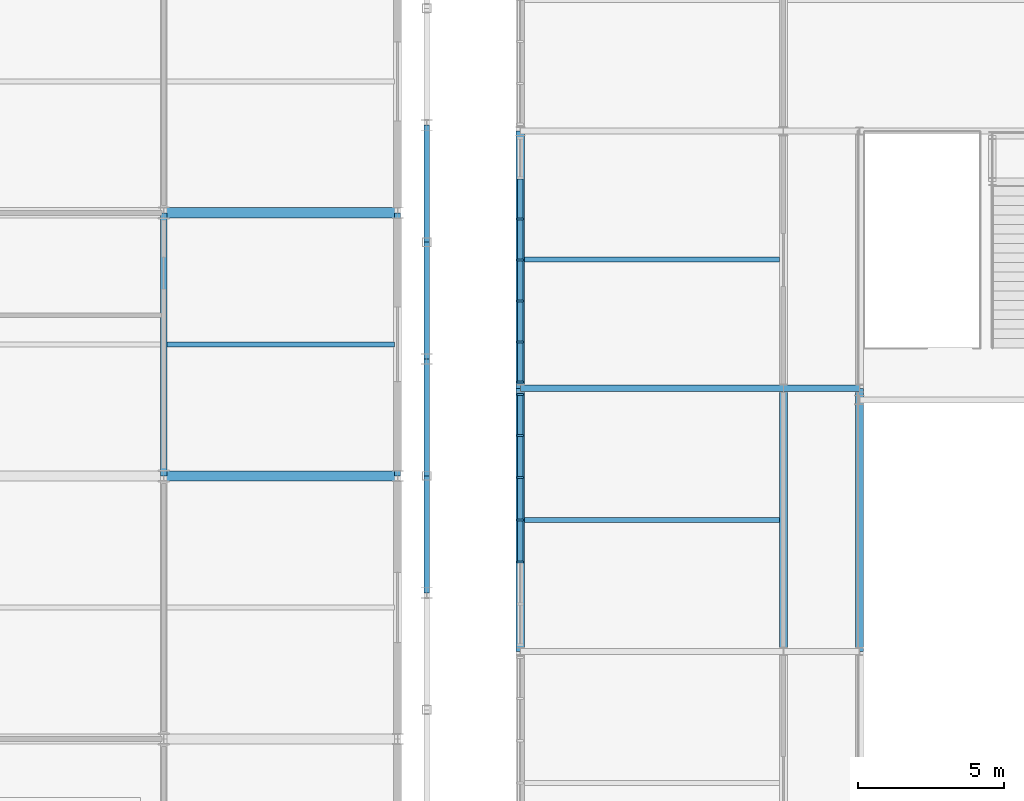
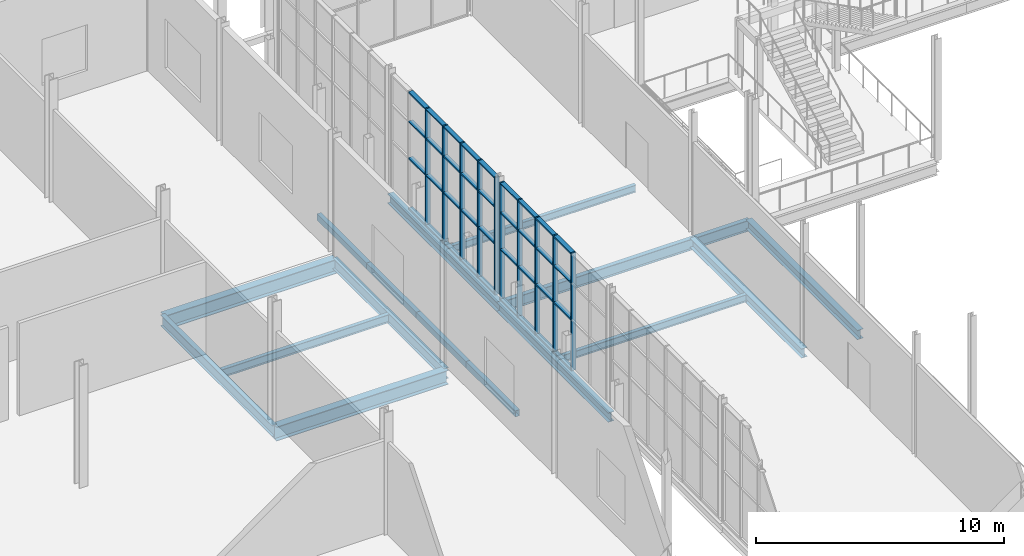
# One storey, part 57 of 159: 46 members, 17 beams, 2 elements without a shape of their own.
"""IFC4 building model written with IfcOpenShell, lengths in metres."""

from ifc_helpers import new_model, si_unit, direction, frame, origin, origin_2d, place, context, subcontext, project, spatial, rectangle, hollow_rectangle, i_section, extrude, material, layer, layer_set, material_profile, profile_set, type_object, element, aggregate, save


model = new_model("IFC4")

# Units and contexts
model_context = context("Model", 3, precision=1e-05, world=origin(), true_north=direction((0.0, 1.0)))
body_context = subcontext(model_context, "Body", "Model", "MODEL_VIEW")
ifc_project = project(units=[si_unit("LENGTHUNIT", "METRE"), si_unit("AREAUNIT", "SQUARE_METRE"), si_unit("VOLUMEUNIT", "CUBIC_METRE"), si_unit("PLANEANGLEUNIT", "RADIAN"), si_unit("MASSUNIT", "GRAM", prefix="KILO")], contexts=[model_context])

# Site, building, storey
site_placement = place(None, origin())
site = spatial("IfcSite", under=ifc_project, at=site_placement, CompositionType="ELEMENT")
building_placement = place(site_placement, origin())
building = spatial("IfcBuilding", under=site, at=building_placement, Name="Cazmaro Siding Exhibition Halls", CompositionType="ELEMENT")
storey_placement = place(building_placement, frame((0.0, 0.0, 6.0)))
storey = spatial("IfcBuildingStorey", under=building, at=storey_placement, Name="L01", CompositionType="ELEMENT", Elevation=6.0)

# Beams
ifc_material_1 = material(Name="Steel ASTM A992 Grade 50", Category="steel")
ifc_material_profile_1 = material_profile(ifc_material_1, i_section(OverallWidth=0.214111328125, OverallDepth=0.549072265625, WebThickness=0.014892578125, FlangeThickness=0.02392578125, at=origin_2d()), Name="W21X93")
ifc_profile_set_1 = profile_set([ifc_material_profile_1], Name="Steel ASTM A992 Grade 50")
beam_type_1 = type_object("IfcBeamType", Name="B-01", PredefinedType="BEAM", material=ifc_profile_set_1)
beam_1_placement = place(storey_placement, frame((36.0, 100.0, -0.493896484375), z_axis=(0.0, 1.0, 0.0), x_axis=(-1.0, 0.0, 0.0)))
element("IfcBeam", 1, at=beam_1_placement, inside=storey, type_object=beam_type_1, Name="Beam B-01 BM-2031", PredefinedType="BEAM", context=body_context, shape_type="SweptSolid", body=[
    extrude(i_section(OverallWidth=0.214111328125, OverallDepth=0.549072265625, WebThickness=0.014892578125, FlangeThickness=0.02392578125, at=origin_2d()), origin(), (0.0, 0.0, 1.0), 9.0),
])
ifc_material_2 = material(Name="Steel ASTM A992 Grade 50", Category="steel")
ifc_material_profile_2 = material_profile(ifc_material_2, i_section(OverallWidth=0.2099609375, OverallDepth=0.535888671875, WebThickness=0.010986328125, FlangeThickness=0.01708984375, at=origin_2d()), Name="W21X68")
ifc_profile_set_2 = profile_set([ifc_material_profile_2], Name="Steel ASTM A992 Grade 50")
beam_type_2 = type_object("IfcBeamType", Name="B-02", PredefinedType="BEAM", material=ifc_profile_set_2)
beam_2_placement = place(storey_placement, frame((48.199951171875, 103.0, -0.488037109375), z_axis=(1.0, 0.0, 0.0), x_axis=(0.0, 1.0, 0.0)))
element("IfcBeam", 2, at=beam_2_placement, inside=storey, type_object=beam_type_2, Name="Beam B-02 BM-0351", PredefinedType="BEAM", context=body_context, shape_type="SweptSolid", body=[
    extrude(i_section(OverallWidth=0.2099609375, OverallDepth=0.535888671875, WebThickness=0.010986328125, FlangeThickness=0.01708984375, at=origin_2d()), origin(), (0.0, 0.0, 1.0), 9.0),
])
beam_3_placement = place(storey_placement, frame((57.199951171875, 103.0, -0.488037109375), z_axis=(1.0, 0.0, 0.0), x_axis=(0.0, 1.0, 0.0)))
element("IfcBeam", 3, at=beam_3_placement, inside=storey, type_object=beam_type_2, Name="Beam B-02 BM-0367", PredefinedType="BEAM", context=body_context, shape_type="SweptSolid", body=[
    extrude(i_section(OverallWidth=0.2099609375, OverallDepth=0.535888671875, WebThickness=0.010986328125, FlangeThickness=0.01708984375, at=origin_2d()), origin(), (0.0, 0.0, 1.0), 2.60009765625),
])
beam_4_placement = place(storey_placement, frame((44.0, 100.0, -0.488037109375), z_axis=(0.0, 1.0, 0.0), x_axis=(-1.0, 0.0, 0.0)))
element("IfcBeam", 4, at=beam_4_placement, inside=storey, type_object=beam_type_2, Name="Beam B-02 BM-2044", PredefinedType="BEAM", context=body_context, shape_type="SweptSolid", body=[
    extrude(i_section(OverallWidth=0.2099609375, OverallDepth=0.535888671875, WebThickness=0.010986328125, FlangeThickness=0.01708984375, at=origin_2d()), origin(), (0.0, 0.0, 1.0), 9.0),
])
ifc_material_3 = material(Name="Steel ASTM A992 Grade 50", Category="steel")
ifc_material_profile_3 = material_profile(ifc_material_3, i_section(OverallWidth=0.279052734375, OverallDepth=0.4619140625, WebThickness=0.010986328125, FlangeThickness=0.01708984375, at=origin_2d()), Name="W18X76")
ifc_profile_set_3 = profile_set([ifc_material_profile_3], Name="Steel ASTM A992 Grade 50")
beam_type_3 = type_object("IfcBeamType", Name="B-03", PredefinedType="BEAM", material=ifc_profile_set_3)
for number, where, z_axis, x_axis, name in (
    (5, (48.199951171875, 94.0, -0.450927734375), (0.0, 1.0, 0.0), (-1.0, 0.0, 0.0), "Beam B-03 BM-0358"),
    (6, (57.199951171875, 94.0, -0.450927734375), (0.0, 1.0, 0.0), (-1.0, 0.0, 0.0), "Beam B-03 BM-0359"),
):
    element("IfcBeam", number, at=place(storey_placement, frame(where, z_axis=z_axis, x_axis=x_axis)), inside=storey, type_object=beam_type_3, Name=name, PredefinedType="BEAM", context=body_context, shape_type="SweptSolid", body=[
        extrude(i_section(OverallWidth=0.279052734375, OverallDepth=0.4619140625, WebThickness=0.010986328125, FlangeThickness=0.01708984375, at=origin_2d()), origin(), (0.0, 0.0, 1.0), 9.0),
    ])
beam_5_placement = place(storey_placement, frame((48.199951171875, 103.0, -0.450927734375), z_axis=(0.0, 1.0, 0.0), x_axis=(-1.0, 0.0, 0.0)))
element("IfcBeam", 7, at=beam_5_placement, inside=storey, type_object=beam_type_3, Name="Beam B-03 BM-0361", PredefinedType="BEAM", context=body_context, shape_type="SweptSolid", body=[
    extrude(i_section(OverallWidth=0.279052734375, OverallDepth=0.4619140625, WebThickness=0.010986328125, FlangeThickness=0.01708984375, at=origin_2d()), origin(), (0.0, 0.0, 1.0), 8.800048828125),
])
beam_6_placement = place(storey_placement, frame((59.800048828125, 94.0, -0.450927734375), z_axis=(0.0, 1.0, 0.0), x_axis=(-1.0, 0.0, 0.0)))
element("IfcBeam", 8, at=beam_6_placement, inside=storey, type_object=beam_type_3, Name="Beam B-03 BM-0370", PredefinedType="BEAM", context=body_context, shape_type="SweptSolid", body=[
    extrude(i_section(OverallWidth=0.279052734375, OverallDepth=0.4619140625, WebThickness=0.010986328125, FlangeThickness=0.01708984375, at=origin_2d()), origin(), (0.0, 0.0, 1.0), 9.0),
])

# Curtain wall, members
ifc_material_4 = material(Name="Anodized Bronze Aluminum and Solar-Control Low-E Glazing", Category="aluminium")
ifc_layer = layer(ifc_material_4, 0.219970703125)
ifc_layer_set = layer_set([ifc_layer], Name="Anodized Bronze Aluminum and Solar-Control Low-E Glazing")
curtain_wall_type = type_object("IfcCurtainWallType", Name="CWS-03", PredefinedType="USERDEFINED", material=ifc_layer_set)
curtain_wall_1_placement = place(storey_placement, origin())
curtain_wall_1 = element("IfcCurtainWall", 9, at=curtain_wall_1_placement, inside=storey, type_object=curtain_wall_type, Name="Glazed Curtain Wall CWS-03 CW-057", ObjectType="GLAZED CURTAIN WALL", PredefinedType="USERDEFINED")
ifc_material_5 = material(Name="Anodized Bronze Extruded Aluminum", Category="aluminium")
ifc_material_profile_4 = material_profile(ifc_material_5, rectangle(XDim=0.219970703125, YDim=0.070068359375, at=origin_2d()), Name="CWM-03")
ifc_profile_set_4 = profile_set([ifc_material_profile_4], Name="Anodized Bronze Extruded Aluminum")
member_type_1 = type_object("IfcMemberType", Name="CWM-03", PredefinedType="MULLION", material=ifc_profile_set_4)
member_1_placement = place(storey_placement, frame((48.199951171875, 102.7880859375, 0.0), z_axis=(0.0, 0.0, 1.0), x_axis=(1.0, 0.0, 0.0)))
member_1 = element("IfcMember", 10, at=member_1_placement, type_object=member_type_1, Name="CWS-03 mullion 1", PredefinedType="MULLION", context=body_context, shape_type="SweptSolid", body=[
    extrude(rectangle(XDim=0.219970703125, YDim=0.070068359375, at=origin_2d()), origin(), (0.0, 0.0, 1.0), 5.780029296875),
])
member_2_placement = place(storey_placement, frame((48.199951171875, 101.382080078125, 0.0), z_axis=(0.0, 0.0, 1.0), x_axis=(1.0, 0.0, 0.0)))
member_2 = element("IfcMember", 11, at=member_2_placement, type_object=member_type_1, Name="CWS-03 mullion 2", PredefinedType="MULLION", context=body_context, shape_type="SweptSolid", body=[
    extrude(rectangle(XDim=0.219970703125, YDim=0.070068359375, at=origin_2d()), origin(), (0.0, 0.0, 1.0), 5.780029296875),
])
member_3_placement = place(storey_placement, frame((48.199951171875, 99.94091796875, 0.0), z_axis=(0.0, 0.0, 1.0), x_axis=(1.0, 0.0, 0.0)))
member_3 = element("IfcMember", 12, at=member_3_placement, type_object=member_type_1, Name="CWS-03 mullion 3", PredefinedType="MULLION", context=body_context, shape_type="SweptSolid", body=[
    extrude(rectangle(XDim=0.219970703125, YDim=0.070068359375, at=origin_2d()), origin(), (0.0, 0.0, 1.0), 5.780029296875),
])
member_4_placement = place(storey_placement, frame((48.199951171875, 98.5, 0.0), z_axis=(0.0, 0.0, 1.0), x_axis=(1.0, 0.0, 0.0)))
member_4 = element("IfcMember", 13, at=member_4_placement, type_object=member_type_1, Name="CWS-03 mullion 4", PredefinedType="MULLION", context=body_context, shape_type="SweptSolid", body=[
    extrude(rectangle(XDim=0.219970703125, YDim=0.070068359375, at=origin_2d()), origin(), (0.0, 0.0, 1.0), 5.780029296875),
])
member_5_placement = place(storey_placement, frame((48.199951171875, 97.05908203125, 0.0), z_axis=(0.0, 0.0, 1.0), x_axis=(1.0, 0.0, 0.0)))
member_5 = element("IfcMember", 14, at=member_5_placement, type_object=member_type_1, Name="CWS-03 mullion 5", PredefinedType="MULLION", context=body_context, shape_type="SweptSolid", body=[
    extrude(rectangle(XDim=0.219970703125, YDim=0.070068359375, at=origin_2d()), origin(), (0.0, 0.0, 1.0), 5.780029296875),
])

curtain_wall_2_placement = place(storey_placement, origin())
curtain_wall_2 = element("IfcCurtainWall", 15, at=curtain_wall_2_placement, inside=storey, type_object=curtain_wall_type, Name="Glazed Curtain Wall CWS-03 CW-060", ObjectType="GLAZED CURTAIN WALL", PredefinedType="USERDEFINED")
member_6_placement = place(storey_placement, frame((48.199951171875, 108.793701171875, 0.0), z_axis=(0.0, 0.0, 1.0), x_axis=(1.0, 0.0, 0.0)))
member_6 = element("IfcMember", 16, at=member_6_placement, type_object=member_type_1, Name="CWS-03 mullion 3", PredefinedType="MULLION", context=body_context, shape_type="SweptSolid", body=[
    extrude(rectangle(XDim=0.219970703125, YDim=0.070068359375, at=origin_2d()), origin(), (0.0, 0.0, 1.0), 5.780029296875),
])
member_7_placement = place(storey_placement, frame((48.199951171875, 107.389404296875, 0.0), z_axis=(0.0, 0.0, 1.0), x_axis=(1.0, 0.0, 0.0)))
member_7 = element("IfcMember", 17, at=member_7_placement, type_object=member_type_1, Name="CWS-03 mullion 4", PredefinedType="MULLION", context=body_context, shape_type="SweptSolid", body=[
    extrude(rectangle(XDim=0.219970703125, YDim=0.070068359375, at=origin_2d()), origin(), (0.0, 0.0, 1.0), 5.780029296875),
])
member_8_placement = place(storey_placement, frame((48.199951171875, 105.9853515625, 0.0), z_axis=(0.0, 0.0, 1.0), x_axis=(1.0, 0.0, 0.0)))
member_8 = element("IfcMember", 18, at=member_8_placement, type_object=member_type_1, Name="CWS-03 mullion 5", PredefinedType="MULLION", context=body_context, shape_type="SweptSolid", body=[
    extrude(rectangle(XDim=0.219970703125, YDim=0.070068359375, at=origin_2d()), origin(), (0.0, 0.0, 1.0), 5.780029296875),
])
member_9_placement = place(storey_placement, frame((48.199951171875, 104.5810546875, 0.0), z_axis=(0.0, 0.0, 1.0), x_axis=(1.0, 0.0, 0.0)))
member_9 = element("IfcMember", 19, at=member_9_placement, type_object=member_type_1, Name="CWS-03 mullion 6", PredefinedType="MULLION", context=body_context, shape_type="SweptSolid", body=[
    extrude(rectangle(XDim=0.219970703125, YDim=0.070068359375, at=origin_2d()), origin(), (0.0, 0.0, 1.0), 5.780029296875),
])
member_10_placement = place(storey_placement, frame((48.199951171875, 103.2119140625, 0.0), z_axis=(0.0, 0.0, 1.0), x_axis=(1.0, 0.0, 0.0)))
member_10 = element("IfcMember", 20, at=member_10_placement, type_object=member_type_1, Name="CWS-03 mullion 7", PredefinedType="MULLION", context=body_context, shape_type="SweptSolid", body=[
    extrude(rectangle(XDim=0.219970703125, YDim=0.070068359375, at=origin_2d()), origin(), (0.0, 0.0, 1.0), 5.780029296875),
])

# Member
ifc_material_6 = material(Name="Anodized Bronze Extruded Aluminum", Category="aluminium")
ifc_material_profile_5 = material_profile(ifc_material_6, rectangle(XDim=0.199951171875, YDim=0.070068359375, at=origin_2d()), Name="CWT-03")
ifc_profile_set_5 = profile_set([ifc_material_profile_5], Name="Anodized Bronze Extruded Aluminum")
member_type_2 = type_object("IfcMemberType", Name="CWT-03", PredefinedType="MULLION", material=ifc_profile_set_5)
member_11_placement = place(storey_placement, frame((48.199951171875, 102.7529296875, 0.034912109375), z_axis=(0.0, -1.0, 0.0), x_axis=(1.0, 0.0, 0.0)))
member_11 = element("IfcMember", 21, at=member_11_placement, type_object=member_type_2, Name="CWS-03 transom 1.1", ObjectType="TRANSOM", PredefinedType="USERDEFINED", context=body_context, shape_type="SweptSolid", body=[
    extrude(rectangle(XDim=0.199951171875, YDim=0.070068359375, at=origin_2d()), origin(), (0.0, 0.0, 1.0), 1.3359375),
])

member_12_placement = place(storey_placement, frame((48.199951171875, 102.7529296875, 2.5), z_axis=(0.0, -1.0, 0.0), x_axis=(1.0, 0.0, 0.0)))
member_12 = element("IfcMember", 22, at=member_12_placement, type_object=member_type_2, Name="CWS-03 transom 1.2", ObjectType="TRANSOM", PredefinedType="USERDEFINED", context=body_context, shape_type="SweptSolid", body=[
    extrude(rectangle(XDim=0.199951171875, YDim=0.070068359375, at=origin_2d()), origin(), (0.0, 0.0, 1.0), 1.3359375),
])

member_13_placement = place(storey_placement, frame((48.199951171875, 102.7529296875, 4.300048828125), z_axis=(0.0, -1.0, 0.0), x_axis=(1.0, 0.0, 0.0)))
member_13 = element("IfcMember", 23, at=member_13_placement, type_object=member_type_2, Name="CWS-03 transom 1.3", ObjectType="TRANSOM", PredefinedType="USERDEFINED", context=body_context, shape_type="SweptSolid", body=[
    extrude(rectangle(XDim=0.199951171875, YDim=0.070068359375, at=origin_2d()), origin(), (0.0, 0.0, 1.0), 1.3359375),
])

member_14_placement = place(storey_placement, frame((48.199951171875, 102.7529296875, 5.7451171875), z_axis=(0.0, -1.0, 0.0), x_axis=(1.0, 0.0, 0.0)))
member_14 = element("IfcMember", 24, at=member_14_placement, type_object=member_type_2, Name="CWS-03 transom 1.4", ObjectType="TRANSOM", PredefinedType="USERDEFINED", context=body_context, shape_type="SweptSolid", body=[
    extrude(rectangle(XDim=0.199951171875, YDim=0.070068359375, at=origin_2d()), origin(), (0.0, 0.0, 1.0), 1.3359375),
])

member_15_placement = place(storey_placement, frame((48.199951171875, 101.346923828125, 0.034912109375), z_axis=(0.0, -1.0, 0.0), x_axis=(1.0, 0.0, 0.0)))
member_15 = element("IfcMember", 25, at=member_15_placement, type_object=member_type_2, Name="CWS-03 transom 2.1", ObjectType="TRANSOM", PredefinedType="USERDEFINED", context=body_context, shape_type="SweptSolid", body=[
    extrude(rectangle(XDim=0.199951171875, YDim=0.070068359375, at=origin_2d()), origin(), (0.0, 0.0, 1.0), 1.370849609375),
])

member_16_placement = place(storey_placement, frame((48.199951171875, 101.346923828125, 2.5), z_axis=(0.0, -1.0, 0.0), x_axis=(1.0, 0.0, 0.0)))
member_16 = element("IfcMember", 26, at=member_16_placement, type_object=member_type_2, Name="CWS-03 transom 2.2", ObjectType="TRANSOM", PredefinedType="USERDEFINED", context=body_context, shape_type="SweptSolid", body=[
    extrude(rectangle(XDim=0.199951171875, YDim=0.070068359375, at=origin_2d()), origin(), (0.0, 0.0, 1.0), 1.370849609375),
])

member_17_placement = place(storey_placement, frame((48.199951171875, 101.346923828125, 4.300048828125), z_axis=(0.0, -1.0, 0.0), x_axis=(1.0, 0.0, 0.0)))
member_17 = element("IfcMember", 27, at=member_17_placement, type_object=member_type_2, Name="CWS-03 transom 2.3", ObjectType="TRANSOM", PredefinedType="USERDEFINED", context=body_context, shape_type="SweptSolid", body=[
    extrude(rectangle(XDim=0.199951171875, YDim=0.070068359375, at=origin_2d()), origin(), (0.0, 0.0, 1.0), 1.370849609375),
])

member_18_placement = place(storey_placement, frame((48.199951171875, 101.346923828125, 5.7451171875), z_axis=(0.0, -1.0, 0.0), x_axis=(1.0, 0.0, 0.0)))
member_18 = element("IfcMember", 28, at=member_18_placement, type_object=member_type_2, Name="CWS-03 transom 2.4", ObjectType="TRANSOM", PredefinedType="USERDEFINED", context=body_context, shape_type="SweptSolid", body=[
    extrude(rectangle(XDim=0.199951171875, YDim=0.070068359375, at=origin_2d()), origin(), (0.0, 0.0, 1.0), 1.370849609375),
])

member_19_placement = place(storey_placement, frame((48.199951171875, 99.906005859375, 0.034912109375), z_axis=(0.0, -1.0, 0.0), x_axis=(1.0, 0.0, 0.0)))
member_19 = element("IfcMember", 29, at=member_19_placement, type_object=member_type_2, Name="CWS-03 transom 3.1", ObjectType="TRANSOM", PredefinedType="USERDEFINED", context=body_context, shape_type="SweptSolid", body=[
    extrude(rectangle(XDim=0.199951171875, YDim=0.070068359375, at=origin_2d()), origin(), (0.0, 0.0, 1.0), 1.37109375),
])

member_20_placement = place(storey_placement, frame((48.199951171875, 99.906005859375, 2.5), z_axis=(0.0, -1.0, 0.0), x_axis=(1.0, 0.0, 0.0)))
member_20 = element("IfcMember", 30, at=member_20_placement, type_object=member_type_2, Name="CWS-03 transom 3.2", ObjectType="TRANSOM", PredefinedType="USERDEFINED", context=body_context, shape_type="SweptSolid", body=[
    extrude(rectangle(XDim=0.199951171875, YDim=0.070068359375, at=origin_2d()), origin(), (0.0, 0.0, 1.0), 1.37109375),
])

member_21_placement = place(storey_placement, frame((48.199951171875, 99.906005859375, 4.300048828125), z_axis=(0.0, -1.0, 0.0), x_axis=(1.0, 0.0, 0.0)))
member_21 = element("IfcMember", 31, at=member_21_placement, type_object=member_type_2, Name="CWS-03 transom 3.3", ObjectType="TRANSOM", PredefinedType="USERDEFINED", context=body_context, shape_type="SweptSolid", body=[
    extrude(rectangle(XDim=0.199951171875, YDim=0.070068359375, at=origin_2d()), origin(), (0.0, 0.0, 1.0), 1.37109375),
])

member_22_placement = place(storey_placement, frame((48.199951171875, 99.906005859375, 5.7451171875), z_axis=(0.0, -1.0, 0.0), x_axis=(1.0, 0.0, 0.0)))
member_22 = element("IfcMember", 32, at=member_22_placement, type_object=member_type_2, Name="CWS-03 transom 3.4", ObjectType="TRANSOM", PredefinedType="USERDEFINED", context=body_context, shape_type="SweptSolid", body=[
    extrude(rectangle(XDim=0.199951171875, YDim=0.070068359375, at=origin_2d()), origin(), (0.0, 0.0, 1.0), 1.37109375),
])

member_23_placement = place(storey_placement, frame((48.199951171875, 98.465087890625, 0.034912109375), z_axis=(0.0, -1.0, 0.0), x_axis=(1.0, 0.0, 0.0)))
member_23 = element("IfcMember", 33, at=member_23_placement, type_object=member_type_2, Name="CWS-03 transom 4.1", ObjectType="TRANSOM", PredefinedType="USERDEFINED", context=body_context, shape_type="SweptSolid", body=[
    extrude(rectangle(XDim=0.199951171875, YDim=0.070068359375, at=origin_2d()), origin(), (0.0, 0.0, 1.0), 1.37109375),
])

member_24_placement = place(storey_placement, frame((48.199951171875, 98.465087890625, 2.5), z_axis=(0.0, -1.0, 0.0), x_axis=(1.0, 0.0, 0.0)))
member_24 = element("IfcMember", 34, at=member_24_placement, type_object=member_type_2, Name="CWS-03 transom 4.2", ObjectType="TRANSOM", PredefinedType="USERDEFINED", context=body_context, shape_type="SweptSolid", body=[
    extrude(rectangle(XDim=0.199951171875, YDim=0.070068359375, at=origin_2d()), origin(), (0.0, 0.0, 1.0), 1.37109375),
])

member_25_placement = place(storey_placement, frame((48.199951171875, 98.465087890625, 4.300048828125), z_axis=(0.0, -1.0, 0.0), x_axis=(1.0, 0.0, 0.0)))
member_25 = element("IfcMember", 35, at=member_25_placement, type_object=member_type_2, Name="CWS-03 transom 4.3", ObjectType="TRANSOM", PredefinedType="USERDEFINED", context=body_context, shape_type="SweptSolid", body=[
    extrude(rectangle(XDim=0.199951171875, YDim=0.070068359375, at=origin_2d()), origin(), (0.0, 0.0, 1.0), 1.37109375),
])

member_26_placement = place(storey_placement, frame((48.199951171875, 98.465087890625, 5.7451171875), z_axis=(0.0, -1.0, 0.0), x_axis=(1.0, 0.0, 0.0)))
member_26 = element("IfcMember", 36, at=member_26_placement, type_object=member_type_2, Name="CWS-03 transom 4.4", ObjectType="TRANSOM", PredefinedType="USERDEFINED", context=body_context, shape_type="SweptSolid", body=[
    extrude(rectangle(XDim=0.199951171875, YDim=0.070068359375, at=origin_2d()), origin(), (0.0, 0.0, 1.0), 1.37109375),
])

aggregate(curtain_wall_1, [member_1, member_2, member_3, member_4, member_5, member_11, member_12, member_13, member_14, member_15, member_16, member_17, member_18, member_19, member_20, member_21, member_22, member_23, member_24, member_25, member_26])

member_27_placement = place(storey_placement, frame((48.199951171875, 110.162841796875, 0.034912109375), z_axis=(0.0, -1.0, 0.0), x_axis=(1.0, 0.0, 0.0)))
member_27 = element("IfcMember", 37, at=member_27_placement, type_object=member_type_2, Name="CWS-03 transom 2.1", ObjectType="TRANSOM", PredefinedType="USERDEFINED", context=body_context, shape_type="SweptSolid", body=[
    extrude(rectangle(XDim=0.199951171875, YDim=0.070068359375, at=origin_2d()), origin(), (0.0, 0.0, 1.0), 1.334228515625),
])

member_28_placement = place(storey_placement, frame((48.199951171875, 110.162841796875, 2.5), z_axis=(0.0, -1.0, 0.0), x_axis=(1.0, 0.0, 0.0)))
member_28 = element("IfcMember", 38, at=member_28_placement, type_object=member_type_2, Name="CWS-03 transom 2.2", ObjectType="TRANSOM", PredefinedType="USERDEFINED", context=body_context, shape_type="SweptSolid", body=[
    extrude(rectangle(XDim=0.199951171875, YDim=0.070068359375, at=origin_2d()), origin(), (0.0, 0.0, 1.0), 1.334228515625),
])

member_29_placement = place(storey_placement, frame((48.199951171875, 110.162841796875, 4.300048828125), z_axis=(0.0, -1.0, 0.0), x_axis=(1.0, 0.0, 0.0)))
member_29 = element("IfcMember", 39, at=member_29_placement, type_object=member_type_2, Name="CWS-03 transom 2.3", ObjectType="TRANSOM", PredefinedType="USERDEFINED", context=body_context, shape_type="SweptSolid", body=[
    extrude(rectangle(XDim=0.199951171875, YDim=0.070068359375, at=origin_2d()), origin(), (0.0, 0.0, 1.0), 1.334228515625),
])

member_30_placement = place(storey_placement, frame((48.199951171875, 110.162841796875, 5.7451171875), z_axis=(0.0, -1.0, 0.0), x_axis=(1.0, 0.0, 0.0)))
member_30 = element("IfcMember", 40, at=member_30_placement, type_object=member_type_2, Name="CWS-03 transom 2.4", ObjectType="TRANSOM", PredefinedType="USERDEFINED", context=body_context, shape_type="SweptSolid", body=[
    extrude(rectangle(XDim=0.199951171875, YDim=0.070068359375, at=origin_2d()), origin(), (0.0, 0.0, 1.0), 1.334228515625),
])

member_31_placement = place(storey_placement, frame((48.199951171875, 108.758544921875, 0.034912109375), z_axis=(0.0, -1.0, 0.0), x_axis=(1.0, 0.0, 0.0)))
member_31 = element("IfcMember", 41, at=member_31_placement, type_object=member_type_2, Name="CWS-03 transom 3.1", ObjectType="TRANSOM", PredefinedType="USERDEFINED", context=body_context, shape_type="SweptSolid", body=[
    extrude(rectangle(XDim=0.199951171875, YDim=0.070068359375, at=origin_2d()), origin(), (0.0, 0.0, 1.0), 1.333984375),
])

member_32_placement = place(storey_placement, frame((48.199951171875, 108.758544921875, 2.5), z_axis=(0.0, -1.0, 0.0), x_axis=(1.0, 0.0, 0.0)))
member_32 = element("IfcMember", 42, at=member_32_placement, type_object=member_type_2, Name="CWS-03 transom 3.2", ObjectType="TRANSOM", PredefinedType="USERDEFINED", context=body_context, shape_type="SweptSolid", body=[
    extrude(rectangle(XDim=0.199951171875, YDim=0.070068359375, at=origin_2d()), origin(), (0.0, 0.0, 1.0), 1.333984375),
])

member_33_placement = place(storey_placement, frame((48.199951171875, 108.758544921875, 4.300048828125), z_axis=(0.0, -1.0, 0.0), x_axis=(1.0, 0.0, 0.0)))
member_33 = element("IfcMember", 43, at=member_33_placement, type_object=member_type_2, Name="CWS-03 transom 3.3", ObjectType="TRANSOM", PredefinedType="USERDEFINED", context=body_context, shape_type="SweptSolid", body=[
    extrude(rectangle(XDim=0.199951171875, YDim=0.070068359375, at=origin_2d()), origin(), (0.0, 0.0, 1.0), 1.333984375),
])

member_34_placement = place(storey_placement, frame((48.199951171875, 108.758544921875, 5.7451171875), z_axis=(0.0, -1.0, 0.0), x_axis=(1.0, 0.0, 0.0)))
member_34 = element("IfcMember", 44, at=member_34_placement, type_object=member_type_2, Name="CWS-03 transom 3.4", ObjectType="TRANSOM", PredefinedType="USERDEFINED", context=body_context, shape_type="SweptSolid", body=[
    extrude(rectangle(XDim=0.199951171875, YDim=0.070068359375, at=origin_2d()), origin(), (0.0, 0.0, 1.0), 1.333984375),
])

member_35_placement = place(storey_placement, frame((48.199951171875, 107.3544921875, 0.034912109375), z_axis=(0.0, -1.0, 0.0), x_axis=(1.0, 0.0, 0.0)))
member_35 = element("IfcMember", 45, at=member_35_placement, type_object=member_type_2, Name="CWS-03 transom 4.1", ObjectType="TRANSOM", PredefinedType="USERDEFINED", context=body_context, shape_type="SweptSolid", body=[
    extrude(rectangle(XDim=0.199951171875, YDim=0.070068359375, at=origin_2d()), origin(), (0.0, 0.0, 1.0), 1.334228515625),
])

member_36_placement = place(storey_placement, frame((48.199951171875, 107.3544921875, 2.5), z_axis=(0.0, -1.0, 0.0), x_axis=(1.0, 0.0, 0.0)))
member_36 = element("IfcMember", 46, at=member_36_placement, type_object=member_type_2, Name="CWS-03 transom 4.2", ObjectType="TRANSOM", PredefinedType="USERDEFINED", context=body_context, shape_type="SweptSolid", body=[
    extrude(rectangle(XDim=0.199951171875, YDim=0.070068359375, at=origin_2d()), origin(), (0.0, 0.0, 1.0), 1.334228515625),
])

member_37_placement = place(storey_placement, frame((48.199951171875, 107.3544921875, 4.300048828125), z_axis=(0.0, -1.0, 0.0), x_axis=(1.0, 0.0, 0.0)))
member_37 = element("IfcMember", 47, at=member_37_placement, type_object=member_type_2, Name="CWS-03 transom 4.3", ObjectType="TRANSOM", PredefinedType="USERDEFINED", context=body_context, shape_type="SweptSolid", body=[
    extrude(rectangle(XDim=0.199951171875, YDim=0.070068359375, at=origin_2d()), origin(), (0.0, 0.0, 1.0), 1.334228515625),
])

member_38_placement = place(storey_placement, frame((48.199951171875, 107.3544921875, 5.7451171875), z_axis=(0.0, -1.0, 0.0), x_axis=(1.0, 0.0, 0.0)))
member_38 = element("IfcMember", 48, at=member_38_placement, type_object=member_type_2, Name="CWS-03 transom 4.4", ObjectType="TRANSOM", PredefinedType="USERDEFINED", context=body_context, shape_type="SweptSolid", body=[
    extrude(rectangle(XDim=0.199951171875, YDim=0.070068359375, at=origin_2d()), origin(), (0.0, 0.0, 1.0), 1.334228515625),
])

member_39_placement = place(storey_placement, frame((48.199951171875, 105.950439453125, 0.034912109375), z_axis=(0.0, -1.0, 0.0), x_axis=(1.0, 0.0, 0.0)))
member_39 = element("IfcMember", 49, at=member_39_placement, type_object=member_type_2, Name="CWS-03 transom 5.1", ObjectType="TRANSOM", PredefinedType="USERDEFINED", context=body_context, shape_type="SweptSolid", body=[
    extrude(rectangle(XDim=0.199951171875, YDim=0.070068359375, at=origin_2d()), origin(), (0.0, 0.0, 1.0), 1.334228515625),
])

member_40_placement = place(storey_placement, frame((48.199951171875, 105.950439453125, 2.5), z_axis=(0.0, -1.0, 0.0), x_axis=(1.0, 0.0, 0.0)))
member_40 = element("IfcMember", 50, at=member_40_placement, type_object=member_type_2, Name="CWS-03 transom 5.2", ObjectType="TRANSOM", PredefinedType="USERDEFINED", context=body_context, shape_type="SweptSolid", body=[
    extrude(rectangle(XDim=0.199951171875, YDim=0.070068359375, at=origin_2d()), origin(), (0.0, 0.0, 1.0), 1.334228515625),
])

member_41_placement = place(storey_placement, frame((48.199951171875, 105.950439453125, 4.300048828125), z_axis=(0.0, -1.0, 0.0), x_axis=(1.0, 0.0, 0.0)))
member_41 = element("IfcMember", 51, at=member_41_placement, type_object=member_type_2, Name="CWS-03 transom 5.3", ObjectType="TRANSOM", PredefinedType="USERDEFINED", context=body_context, shape_type="SweptSolid", body=[
    extrude(rectangle(XDim=0.199951171875, YDim=0.070068359375, at=origin_2d()), origin(), (0.0, 0.0, 1.0), 1.334228515625),
])

member_42_placement = place(storey_placement, frame((48.199951171875, 105.950439453125, 5.7451171875), z_axis=(0.0, -1.0, 0.0), x_axis=(1.0, 0.0, 0.0)))
member_42 = element("IfcMember", 52, at=member_42_placement, type_object=member_type_2, Name="CWS-03 transom 5.4", ObjectType="TRANSOM", PredefinedType="USERDEFINED", context=body_context, shape_type="SweptSolid", body=[
    extrude(rectangle(XDim=0.199951171875, YDim=0.070068359375, at=origin_2d()), origin(), (0.0, 0.0, 1.0), 1.334228515625),
])

member_43_placement = place(storey_placement, frame((48.199951171875, 104.546142578125, 0.034912109375), z_axis=(0.0, -1.0, 0.0), x_axis=(1.0, 0.0, 0.0)))
member_43 = element("IfcMember", 53, at=member_43_placement, type_object=member_type_2, Name="CWS-03 transom 6.1", ObjectType="TRANSOM", PredefinedType="USERDEFINED", context=body_context, shape_type="SweptSolid", body=[
    extrude(rectangle(XDim=0.199951171875, YDim=0.070068359375, at=origin_2d()), origin(), (0.0, 0.0, 1.0), 1.299072265625),
])

member_44_placement = place(storey_placement, frame((48.199951171875, 104.546142578125, 2.5), z_axis=(0.0, -1.0, 0.0), x_axis=(1.0, 0.0, 0.0)))
member_44 = element("IfcMember", 54, at=member_44_placement, type_object=member_type_2, Name="CWS-03 transom 6.2", ObjectType="TRANSOM", PredefinedType="USERDEFINED", context=body_context, shape_type="SweptSolid", body=[
    extrude(rectangle(XDim=0.199951171875, YDim=0.070068359375, at=origin_2d()), origin(), (0.0, 0.0, 1.0), 1.299072265625),
])

member_45_placement = place(storey_placement, frame((48.199951171875, 104.546142578125, 4.300048828125), z_axis=(0.0, -1.0, 0.0), x_axis=(1.0, 0.0, 0.0)))
member_45 = element("IfcMember", 55, at=member_45_placement, type_object=member_type_2, Name="CWS-03 transom 6.3", ObjectType="TRANSOM", PredefinedType="USERDEFINED", context=body_context, shape_type="SweptSolid", body=[
    extrude(rectangle(XDim=0.199951171875, YDim=0.070068359375, at=origin_2d()), origin(), (0.0, 0.0, 1.0), 1.299072265625),
])

member_46_placement = place(storey_placement, frame((48.199951171875, 104.546142578125, 5.7451171875), z_axis=(0.0, -1.0, 0.0), x_axis=(1.0, 0.0, 0.0)))
member_46 = element("IfcMember", 56, at=member_46_placement, type_object=member_type_2, Name="CWS-03 transom 6.4", ObjectType="TRANSOM", PredefinedType="USERDEFINED", context=body_context, shape_type="SweptSolid", body=[
    extrude(rectangle(XDim=0.199951171875, YDim=0.070068359375, at=origin_2d()), origin(), (0.0, 0.0, 1.0), 1.299072265625),
])

aggregate(curtain_wall_2, [member_6, member_7, member_8, member_9, member_10, member_27, member_28, member_29, member_30, member_31, member_32, member_33, member_34, member_35, member_36, member_37, member_38, member_39, member_40, member_41, member_42, member_43, member_44, member_45, member_46])

# Beams
ifc_material_7 = material(Name="Steel ASTM A992 Grade 50", Category="steel")
ifc_material_profile_6 = material_profile(ifc_material_7, i_section(OverallWidth=0.35595703125, OverallDepth=0.696044921875, WebThickness=0.014892578125, FlangeThickness=0.02490234375, at=origin_2d()), Name="W27X146")
ifc_profile_set_6 = profile_set([ifc_material_profile_6], Name="Steel ASTM A992 Grade 50")
beam_type_4 = type_object("IfcBeamType", Name="G-05", PredefinedType="USERDEFINED", material=ifc_profile_set_6)
for number, where, z_axis, x_axis, name in (
    (57, (36.0, 100.0, -0.568115234375), (1.0, 0.0, 0.0), (0.0, 1.0, 0.0), "Beam G-05 BM-2036"),
    (58, (36.0, 109.0, -0.568115234375), (1.0, 0.0, 0.0), (0.0, 1.0, 0.0), "Beam G-05 BM-2037"),
):
    element("IfcBeam", number, at=place(storey_placement, frame(where, z_axis=z_axis, x_axis=x_axis)), inside=storey, type_object=beam_type_4, Name=name, ObjectType="GIRDER", PredefinedType="USERDEFINED", context=body_context, shape_type="SweptSolid", body=[
        extrude(i_section(OverallWidth=0.35595703125, OverallDepth=0.696044921875, WebThickness=0.014892578125, FlangeThickness=0.02490234375, at=origin_2d()), origin(), (0.0, 0.0, 1.0), 8.0),
    ])
ifc_material_8 = material(Name="Steel ASTM A992 Grade 50", Category="steel")
ifc_material_profile_7 = material_profile(ifc_material_8, i_section(OverallWidth=0.177978515625, OverallDepth=0.406005859375, WebThickness=0.008056640625, FlangeThickness=0.012939453125, at=origin_2d()), Name="W16X40")
ifc_profile_set_7 = profile_set([ifc_material_profile_7], Name="Steel ASTM A992 Grade 50")
beam_type_5 = type_object("IfcBeamType", Name="J-02", PredefinedType="JOIST", material=ifc_profile_set_7)
beam_7_placement = place(storey_placement, frame((36.10693359375, 104.5, -0.423095703125), z_axis=(1.0, 0.0, 0.0), x_axis=(0.0, 1.0, 0.0)))
element("IfcBeam", 59, at=beam_7_placement, inside=storey, type_object=beam_type_5, Name="Beam J-02 BM-2045", PredefinedType="JOIST", context=body_context, shape_type="SweptSolid", body=[
    extrude(i_section(OverallWidth=0.177978515625, OverallDepth=0.406005859375, WebThickness=0.008056640625, FlangeThickness=0.012939453125, at=origin_2d()), origin(), (0.0, 0.0, 1.0), 7.7880859375),
])
ifc_material_9 = material(Name="Steel ASTM A992 Grade 50", Category="steel")
ifc_material_profile_8 = material_profile(ifc_material_9, i_section(OverallWidth=0.1708984375, OverallDepth=0.35595703125, WebThickness=0.007080078125, FlangeThickness=0.011962890625, at=origin_2d()), Name="W14X34")
ifc_profile_set_8 = profile_set([ifc_material_profile_8], Name="Steel ASTM A992 Grade 50")
beam_type_6 = type_object("IfcBeamType", Name="J-04", PredefinedType="JOIST", material=ifc_profile_set_8)
for number, where, z_axis, x_axis, name in (
    (60, (48.340087890625, 98.5, -0.39794921875), (1.0, 0.0, 0.0), (0.0, 1.0, 0.0), "Beam J-04 BM-0360"),
    (61, (48.340087890625, 107.39990234375, -0.39794921875), (1.0, 0.0, 0.0), (0.0, 1.0, 0.0), "Beam J-04 BM-0363"),
):
    element("IfcBeam", number, at=place(storey_placement, frame(where, z_axis=z_axis, x_axis=x_axis)), inside=storey, type_object=beam_type_6, Name=name, PredefinedType="JOIST", context=body_context, shape_type="SweptSolid", body=[
        extrude(i_section(OverallWidth=0.1708984375, OverallDepth=0.35595703125, WebThickness=0.007080078125, FlangeThickness=0.011962890625, at=origin_2d()), origin(), (0.0, 0.0, 1.0), 8.719970703125),
    ])
ifc_material_10 = material(Name="Steel ASTM A500 Grade C", Category="steel")
ifc_material_profile_9 = material_profile(ifc_material_10, hollow_rectangle(XDim=0.202880859375, YDim=0.304931640625, WallThickness=0.011962890625, at=origin_2d()), Name="HSS12X8X1/2")
ifc_profile_set_9 = profile_set([ifc_material_profile_9], Name="Steel ASTM A500 Grade C")
beam_type_7 = type_object("IfcBeamType", Name="SP-01", PredefinedType="SPANDREL", material=ifc_profile_set_9)
for number, where, z_axis, x_axis, name in (
    (62, (45.0, 96.0, -0.3720703125), (0.0, 1.0, 0.0), (-1.0, 0.0, 0.0), "Beam SP-01 BM-0017"),
    (63, (45.0, 100.0, -0.3720703125), (0.0, 1.0, 0.0), (-1.0, 0.0, 0.0), "Beam SP-01 BM-0019"),
    (64, (45.0, 104.0, -0.3720703125), (0.0, 1.0, 0.0), (-1.0, 0.0, 0.0), "Beam SP-01 BM-0021"),
    (65, (45.0, 108.0, -0.3720703125), (0.0, 1.0, 0.0), (-1.0, 0.0, 0.0), "Beam SP-01 BM-0023"),
):
    element("IfcBeam", number, at=place(storey_placement, frame(where, z_axis=z_axis, x_axis=x_axis)), inside=storey, type_object=beam_type_7, Name=name, PredefinedType="SPANDREL", context=body_context, shape_type="SweptSolid", body=[
        extrude(hollow_rectangle(XDim=0.202880859375, YDim=0.304931640625, WallThickness=0.011962890625, at=origin_2d()), origin(), (0.0, 0.0, 1.0), 4.0),
    ])

save(model, "model.ifc")
